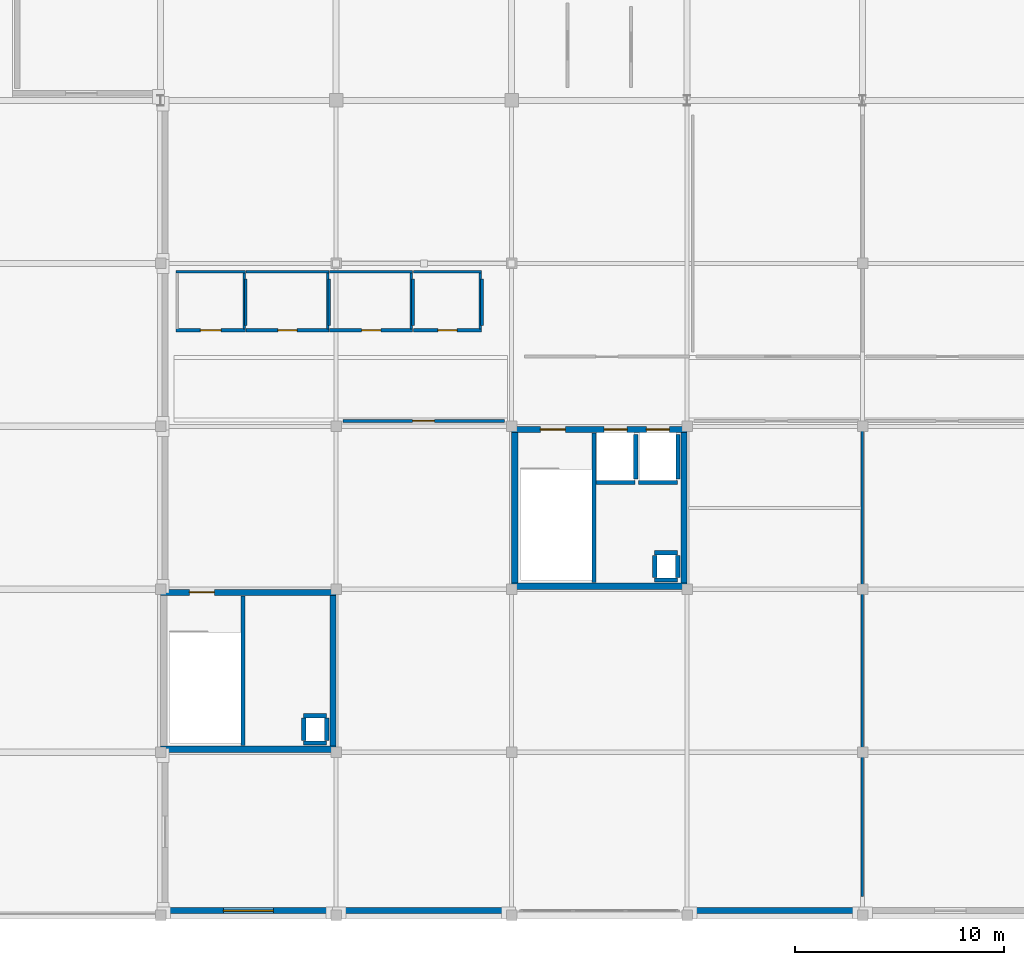
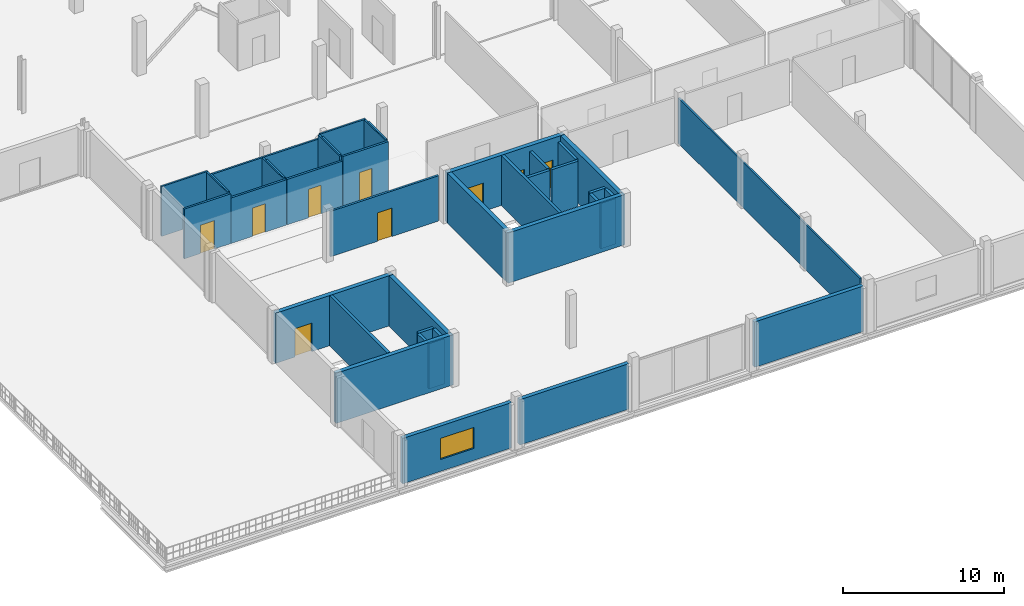
# One storey, part 28 of 41: 42 walls, 9 doors, 1 window, 10 openings.
"""IFC4 building model written with IfcOpenShell, lengths in metres."""

import ifcopenshell
import ifcopenshell.guid

model = None  # the IFC model being written
_history = None  # IfcOwnerHistory: only IFC2X3 demands one
_inside = {}  # id of a spatial element -> (the spatial element, [elements in it])
_under = {}  # id of a project, library or spatial element -> (it, [spatial elements below it])
_declared = {}  # id of a project -> (the project, [libraries it declares])
_typed = {}  # id of a type object -> (the type object, [elements of that type])
_made_of = {}  # id of a material, layer set ... -> (it, [elements and type objects made of it])


def new_model(schema):
    """Start an empty IFC model of exactly this schema.

    Asked for "IFC4X3", IfcOpenShell would pick the latest addendum, in which some entities
    have other attributes; the version numbers below select the first issue.
    IFC2X3 requires an IfcOwnerHistory on every rooted entity: one is made here for all.
    """
    global model, _history
    if schema == "IFC4X3":
        model = ifcopenshell.file(schema_version=(4, 3, 0, 0))
    else:
        model = ifcopenshell.file(schema=schema)
    _inside.clear()
    _under.clear()
    _declared.clear()
    _typed.clear()
    _made_of.clear()
    _history = None
    if model.schema == "IFC2X3":
        org = make("IfcOrganization", Name="unknown")
        user = make(
            "IfcPersonAndOrganization",
            ThePerson=make("IfcPerson", FamilyName="unknown"),
            TheOrganization=org,
        )
        app = make(
            "IfcApplication",
            ApplicationDeveloper=org,
            Version="unknown",
            ApplicationFullName="unknown",
            ApplicationIdentifier="unknown",
        )
        _history = make(
            "IfcOwnerHistory",
            OwningUser=user,
            OwningApplication=app,
            ChangeAction="ADDED",
            CreationDate=0,
        )
    return model


def make(cls, **values):
    """One entity of the class cls with the attributes given. An attribute that is None is left unset."""
    return model.create_entity(
        cls, **{name: value for name, value in values.items() if value is not None}
    )


def rooted(cls, **values):
    """An entity with a GlobalId (a new one), such as an element, a storey or a relation."""
    return make(cls, GlobalId=ifcopenshell.guid.new(), OwnerHistory=_history, **values)


def si_unit(unit_type, name, prefix=None):
    """IfcSIUnit, for example si_unit("LENGTHUNIT", "METRE", prefix="MILLI")."""
    return make("IfcSIUnit", UnitType=unit_type, Prefix=prefix, Name=name)


def assignment(units):
    """IfcUnitAssignment: the units of a project."""
    return None if units is None else make("IfcUnitAssignment", Units=units)


def point(xyz):
    """IfcCartesianPoint."""
    return None if xyz is None else make("IfcCartesianPoint", Coordinates=xyz)


def direction(xyz):
    """IfcDirection."""
    return None if xyz is None else make("IfcDirection", DirectionRatios=xyz)


def frame(location, z_axis=None, x_axis=None):
    """IfcAxis2Placement3D, a coordinate frame: its origin and axes. An axis left out is left unset."""
    return make(
        "IfcAxis2Placement3D",
        Location=point(location),
        Axis=direction(z_axis),
        RefDirection=direction(x_axis),
    )


def frame_2d(location, x_axis=None):
    """IfcAxis2Placement2D, a coordinate frame in the plane: its origin and x axis."""
    return make(
        "IfcAxis2Placement2D", Location=point(location), RefDirection=direction(x_axis)
    )


def origin():
    """The frame at (0, 0, 0) with its axes left unset."""
    return frame((0.0, 0.0, 0.0))


def place(relative_to, where):
    """IfcLocalPlacement: puts the frame where relative to a parent placement (None: the world)."""
    return make(
        "IfcLocalPlacement", PlacementRelTo=relative_to, RelativePlacement=where
    )


def context(
    kind, dimensions, precision=None, world=None, true_north=None, identifier=None
):
    """IfcGeometricRepresentationContext, for example the 3D "Model" context."""
    return make(
        "IfcGeometricRepresentationContext",
        ContextIdentifier=identifier,
        ContextType=kind,
        CoordinateSpaceDimension=dimensions,
        Precision=precision,
        WorldCoordinateSystem=world,
        TrueNorth=true_north,
    )


def subcontext(parent, identifier, kind, view, scale=None):
    """IfcGeometricRepresentationSubContext, for example "Body" below "Model"."""
    return make(
        "IfcGeometricRepresentationSubContext",
        ContextIdentifier=identifier,
        ContextType=kind,
        ParentContext=parent,
        TargetScale=scale,
        TargetView=view,
    )


def project(units=None, contexts=None):
    """IfcProject with its units and contexts."""
    return rooted(
        "IfcProject",
        Name="project",
        RepresentationContexts=contexts,
        UnitsInContext=assignment(units),
    )


def spatial(cls, under=None, at=None, **own):
    """A site, building, storey or space (cls), placed at a placement, below another one or the project."""
    s = rooted(cls, ObjectPlacement=at, **own)
    if under is not None:
        _under.setdefault(under.id(), (under, []))[1].append(s)
    return s


def profile(cls, at=None, kind="AREA", **sizes):
    """A parametric profile (cls). Its sizes go by their IFC names, for example OverallWidth=200.0."""
    return make(cls, ProfileType=kind, Position=at, **sizes)


def rectangle(**sizes):
    """IfcRectangleProfileDef."""
    return profile("IfcRectangleProfileDef", **sizes)


def extrude(swept, where, along, depth):
    """IfcExtrudedAreaSolid: the profile swept, set in the frame where, extruded along a direction by depth."""
    return make(
        "IfcExtrudedAreaSolid",
        SweptArea=swept,
        Position=where,
        ExtrudedDirection=direction(along),
        Depth=depth,
    )


def shape(context_of_items, identifier, shape_type, items):
    """IfcShapeRepresentation: the items that make up one representation, for example the "Body"."""
    return make(
        "IfcShapeRepresentation",
        ContextOfItems=context_of_items,
        RepresentationIdentifier=identifier,
        RepresentationType=shape_type,
        Items=items,
    )


def material(Name=None, Category=None):
    """IfcMaterial."""
    return make("IfcMaterial", Name=Name, Category=Category)


def layer(
    of_material, thickness, ventilated=None, Name=None, Category=None, Priority=None
):
    """IfcMaterialLayer: one layer of a wall or slab, of a material (None: an air gap)."""
    return make(
        "IfcMaterialLayer",
        Material=of_material,
        LayerThickness=thickness,
        IsVentilated=ventilated,
        Name=Name,
        Category=Category,
        Priority=Priority,
    )


def layer_set(layers, Name=None):
    """IfcMaterialLayerSet."""
    return make("IfcMaterialLayerSet", MaterialLayers=layers, LayerSetName=Name)


def made_of(thing, what):
    """Note that an element or type object is made of a material, layer set ...; save() writes the relation."""
    if what is not None:
        _made_of.setdefault(what.id(), (what, []))[1].append(thing)
    return thing


def type_object(cls, material=None, **own):
    """A type object (cls), such as IfcWallType, which elements share."""
    return made_of(rooted(cls, **own), material)


def element(
    cls,
    number,
    at=None,
    inside=None,
    cuts=None,
    type_object=None,
    material=None,
    context=None,
    identifier="Body",
    shape_type=None,
    held_by="IfcProductDefinitionShape",
    body=None,
    shapes=None,
    **own,
):
    """One element of the class cls, such as IfcWall. Its Tag is "e" and its number.

    at: its placement. inside: the storey or other place that contains it. cuts: it is an
    opening in that element (IfcRelVoidsElement). A single representation is given by context,
    identifier, shape_type and body (its items); several are given by shapes. held_by: the class
    of the entity that holds the representations. save() writes the other relations.
    """
    e = rooted(cls, Tag="e%d" % number, ObjectPlacement=at, **own)
    if body is not None:
        shapes = [shape(context, identifier, shape_type, body)]
    if shapes is not None:
        e.Representation = make(held_by, Representations=shapes)
    if inside is not None:
        _inside.setdefault(inside.id(), (inside, []))[1].append(e)
    if cuts is not None:
        rooted(
            "IfcRelVoidsElement", RelatingBuildingElement=cuts, RelatedOpeningElement=e
        )
    if type_object is not None:
        _typed.setdefault(type_object.id(), (type_object, []))[1].append(e)
    return made_of(e, material)


def fill(opening, filler):
    """IfcRelFillsElement: the door or window that sits in an opening."""
    return rooted(
        "IfcRelFillsElement",
        RelatingOpeningElement=opening,
        RelatedBuildingElement=filler,
    )


def aggregate(whole, parts):
    """IfcRelAggregates: a whole, such as a stair, and the parts it consists of."""
    return rooted("IfcRelAggregates", RelatingObject=whole, RelatedObjects=parts)


def save(model, path):
    """Write the relations noted so far, then the file.

    IfcRelAggregates (storeys below a building ...), IfcRelContainedInSpatialStructure (elements
    in a storey), IfcRelDefinesByType, IfcRelAssociatesMaterial and IfcRelDeclares: one each for
    every whole, place, type object, material and project.
    """
    for whole, parts in _under.values():
        aggregate(whole, parts)
    for where, things in _inside.values():
        rooted(
            "IfcRelContainedInSpatialStructure",
            RelatedElements=things,
            RelatingStructure=where,
        )
    for kind, things in _typed.values():
        rooted("IfcRelDefinesByType", RelatedObjects=things, RelatingType=kind)
    for what, things in _made_of.values():
        rooted("IfcRelAssociatesMaterial", RelatedObjects=things, RelatingMaterial=what)
    for by, libraries in _declared.values():
        rooted("IfcRelDeclares", RelatingContext=by, RelatedDefinitions=libraries)
    model.write(path)


model = new_model("IFC4")

# Units and contexts
model_context = context("Model", 3, precision=1e-05, world=origin(), true_north=direction((0.0, 1.0)))
body_context = subcontext(model_context, "Body", "Model", "MODEL_VIEW")
ifc_project = project(units=[si_unit("LENGTHUNIT", "METRE"), si_unit("AREAUNIT", "SQUARE_METRE"), si_unit("VOLUMEUNIT", "CUBIC_METRE"), si_unit("PLANEANGLEUNIT", "RADIAN"), si_unit("MASSUNIT", "GRAM", prefix="KILO")], contexts=[model_context])

# Site, building, storey
site_placement = place(None, origin())
site = spatial("IfcSite", under=ifc_project, at=site_placement, CompositionType="ELEMENT")
building_placement = place(site_placement, origin())
building = spatial("IfcBuilding", under=site, at=building_placement, Name="Nabrawat Pavilion Hospital", CompositionType="ELEMENT")
storey_placement = place(building_placement, frame((0.0, 0.0, 18.89990234375)))
storey = spatial("IfcBuildingStorey", under=building, at=storey_placement, Name="L04", CompositionType="ELEMENT", Elevation=18.89990234375)

# Wall, opening, door
ifc_material_1 = material(Name="Gypsum Fireboard on Steel Stud", Category="steel")
ifc_layer_1 = layer(ifc_material_1, 0.14990234375, Name="Gypsum Fireboard on Steel Stud")
ifc_layer_set_1 = layer_set([ifc_layer_1], Name="Gypsum Fireboard on Steel Stud")
wall_type_1 = type_object("IfcWallType", Name="Clinical Corridor Smoke-Barrier Wall 150", PredefinedType="PARTITIONING", material=ifc_layer_set_1)
wall_1_placement = place(storey_placement, frame((143.534912109375, 28.0, 0.0), z_axis=(0.0, 0.0, 1.0), x_axis=(1.0, 0.0, 0.0)))
wall_1 = element("IfcWall", 1, at=wall_1_placement, inside=storey, type_object=wall_type_1, Name="L04 L04 Accessible WC Front Partition", PredefinedType="PARTITIONING", context=body_context, shape_type="SweptSolid", body=[
    extrude(rectangle(XDim=3.330078125, YDim=0.14990234375, at=frame_2d((1.6650390625, 0.0))), origin(), (0.0, 0.0, 1.0), 3.77001953125),
])
opening_1_placement = place(wall_1_placement, frame((1.1650390625, 0.0, 0.0)))
opening_1 = element("IfcOpeningElement", 2, at=opening_1_placement, cuts=wall_1, Name="Opening D-WC-ACC", PredefinedType="OPENING", context=body_context, shape_type="SweptSolid", body=[
    extrude(rectangle(XDim=1.0, YDim=2.14990234375, at=frame_2d((0.5, 1.074951171875))), frame((0.0, 0.0849609375, 0.0), z_axis=(0.0, -1.0, 0.0), x_axis=(1.0, 0.0, 0.0)), (0.0, 0.0, 1.0), 0.169921875),
])
ifc_material_2 = material(Name="Stainless-Clad Acoustic Timber and Vision Glass", Category="wood")
door_type_1 = type_object("IfcDoorType", Name="Accessible Washroom Outward Door 1000x2150", OperationType="NOTDEFINED", PredefinedType="DOOR", material=ifc_material_2)
door_1_placement = place(opening_1_placement, origin())
door_1 = element("IfcDoor", 3, at=door_1_placement, inside=storey, type_object=door_type_1, Name="L04 Accessible WC Door", OperationType="SINGLE_SWING_LEFT", OverallHeight=2.14990234375, OverallWidth=1.0, PredefinedType="DOOR", context=body_context, shape_type="SweptSolid", body=[
    extrude(rectangle(XDim=1.0, YDim=2.14990234375, at=frame_2d((0.5, 1.074951171875))), frame((0.0, 0.02490234375, 0.0), z_axis=(0.0, -1.0, 0.0), x_axis=(1.0, 0.0, 0.0)), (0.0, 0.0, 1.0), 0.050048828125),
])
fill(opening_1, door_1)

wall_2_placement = place(storey_placement, frame((146.89501953125, 28.0, 0.0), z_axis=(0.0, 0.0, 1.0), x_axis=(1.0, 0.0, 0.0)))
wall_2 = element("IfcWall", 4, at=wall_2_placement, inside=storey, type_object=wall_type_1, Name="L04 L04 Visitor Female Washroom Front Partition", PredefinedType="PARTITIONING", context=body_context, shape_type="SweptSolid", body=[
    extrude(rectangle(XDim=3.969970703125, YDim=0.14990234375, at=frame_2d((1.98486328125, 0.0))), origin(), (0.0, 0.0, 1.0), 3.440185546875),
])
opening_2_placement = place(wall_2_placement, frame((1.52490234375, 0.0, 0.0)))
opening_2 = element("IfcOpeningElement", 5, at=opening_2_placement, cuts=wall_2, Name="Opening D-WC-STD", PredefinedType="OPENING", context=body_context, shape_type="SweptSolid", body=[
    extrude(rectangle(XDim=0.919921875, YDim=2.14990234375, at=frame_2d((0.4599609375, 1.074951171875))), frame((0.0, 0.0849609375, 0.0), z_axis=(0.0, -1.0, 0.0), x_axis=(1.0, 0.0, 0.0)), (0.0, 0.0, 1.0), 0.169921875),
])
door_type_2 = type_object("IfcDoorType", Name="Washroom Lobby Privacy Door 920x2150", OperationType="NOTDEFINED", PredefinedType="DOOR", material=ifc_material_2)
door_2_placement = place(opening_2_placement, origin())
door_2 = element("IfcDoor", 6, at=door_2_placement, inside=storey, type_object=door_type_2, Name="L04 Visitor Female Washroom Door", OperationType="SINGLE_SWING_RIGHT", OverallHeight=2.14990234375, OverallWidth=0.919921875, PredefinedType="DOOR", context=body_context, shape_type="SweptSolid", body=[
    extrude(rectangle(XDim=0.919921875, YDim=2.14990234375, at=frame_2d((0.4599609375, 1.074951171875))), frame((0.0, 0.02490234375, 0.0), z_axis=(0.0, -1.0, 0.0), x_axis=(1.0, 0.0, 0.0)), (0.0, 0.0, 1.0), 0.050048828125),
])
fill(opening_2, door_2)

wall_3_placement = place(storey_placement, frame((150.89501953125, 28.0, 0.0), z_axis=(0.0, 0.0, 1.0), x_axis=(1.0, 0.0, 0.0)))
wall_3 = element("IfcWall", 7, at=wall_3_placement, inside=storey, type_object=wall_type_1, Name="L04 L04 Visitor Male Washroom Front Partition", PredefinedType="PARTITIONING", context=body_context, shape_type="SweptSolid", body=[
    extrude(rectangle(XDim=3.969970703125, YDim=0.14990234375, at=frame_2d((1.98486328125, 0.0))), origin(), (0.0, 0.0, 1.0), 3.440185546875),
])
opening_3_placement = place(wall_3_placement, frame((1.52490234375, 0.0, 0.0)))
opening_3 = element("IfcOpeningElement", 8, at=opening_3_placement, cuts=wall_3, Name="Opening D-WC-STD", PredefinedType="OPENING", context=body_context, shape_type="SweptSolid", body=[
    extrude(rectangle(XDim=0.919921875, YDim=2.14990234375, at=frame_2d((0.4599609375, 1.074951171875))), frame((0.0, 0.0849609375, 0.0), z_axis=(0.0, -1.0, 0.0), x_axis=(1.0, 0.0, 0.0)), (0.0, 0.0, 1.0), 0.169921875),
])
door_3_placement = place(opening_3_placement, origin())
door_3 = element("IfcDoor", 9, at=door_3_placement, inside=storey, type_object=door_type_2, Name="L04 Visitor Male Washroom Door", OperationType="SINGLE_SWING_LEFT", OverallHeight=2.14990234375, OverallWidth=0.919921875, PredefinedType="DOOR", context=body_context, shape_type="SweptSolid", body=[
    extrude(rectangle(XDim=0.919921875, YDim=2.14990234375, at=frame_2d((0.4599609375, 1.074951171875))), frame((0.0, 0.02490234375, 0.0), z_axis=(0.0, -1.0, 0.0), x_axis=(1.0, 0.0, 0.0)), (0.0, 0.0, 1.0), 0.050048828125),
])
fill(opening_3, door_3)

wall_4_placement = place(storey_placement, frame((154.89501953125, 28.0, 0.0), z_axis=(0.0, 0.0, 1.0), x_axis=(1.0, 0.0, 0.0)))
wall_4 = element("IfcWall", 10, at=wall_4_placement, inside=storey, type_object=wall_type_1, Name="L04 L04 Clinical Staff WC Front Partition", PredefinedType="PARTITIONING", context=body_context, shape_type="SweptSolid", body=[
    extrude(rectangle(XDim=3.27001953125, YDim=0.14990234375, at=frame_2d((1.635009765625, 0.0))), origin(), (0.0, 0.0, 1.0), 3.77001953125),
])
opening_4_placement = place(wall_4_placement, frame((1.175048828125, 0.0, 0.0)))
opening_4 = element("IfcOpeningElement", 11, at=opening_4_placement, cuts=wall_4, Name="Opening D-WC-STD", PredefinedType="OPENING", context=body_context, shape_type="SweptSolid", body=[
    extrude(rectangle(XDim=0.919921875, YDim=2.14990234375, at=frame_2d((0.4599609375, 1.074951171875))), frame((0.0, 0.0849609375, 0.0), z_axis=(0.0, -1.0, 0.0), x_axis=(1.0, 0.0, 0.0)), (0.0, 0.0, 1.0), 0.169921875),
])
door_4_placement = place(opening_4_placement, origin())
door_4 = element("IfcDoor", 12, at=door_4_placement, inside=storey, type_object=door_type_2, Name="L04 Clinical Staff WC Door", OperationType="SINGLE_SWING_RIGHT", OverallHeight=2.14990234375, OverallWidth=0.919921875, PredefinedType="DOOR", context=body_context, shape_type="SweptSolid", body=[
    extrude(rectangle(XDim=0.919921875, YDim=2.14990234375, at=frame_2d((0.4599609375, 1.074951171875))), frame((0.0, 0.02490234375, 0.0), z_axis=(0.0, -1.0, 0.0), x_axis=(1.0, 0.0, 0.0)), (0.0, 0.0, 1.0), 0.050048828125),
])
fill(opening_4, door_4)

wall_5_placement = place(storey_placement, frame((151.52001953125, 23.659912109375, 0.0), z_axis=(0.0, 0.0, 1.0), x_axis=(1.0, 0.0, 0.0)))
wall_5 = element("IfcWall", 13, at=wall_5_placement, inside=storey, type_object=wall_type_1, Name="L04 Outpatient Clinic Executive Screening Suite L04-01 Front Partition", PredefinedType="PARTITIONING", context=body_context, shape_type="SweptSolid", body=[
    extrude(rectangle(XDim=7.72998046875, YDim=0.14990234375, at=frame_2d((3.864990234375, 0.0))), origin(), (0.0, 0.0, 1.0), 3.440185546875),
])
opening_5_placement = place(wall_5_placement, frame((3.340087890625, 0.0, 0.0)))
opening_5 = element("IfcOpeningElement", 14, at=opening_5_placement, cuts=wall_5, Name="Opening D-OPC-L", PredefinedType="OPENING", context=body_context, shape_type="SweptSolid", body=[
    extrude(rectangle(XDim=1.050048828125, YDim=2.14990234375, at=frame_2d((0.52490234375, 1.074951171875))), frame((0.0, 0.0849609375, 0.0), z_axis=(0.0, -1.0, 0.0), x_axis=(1.0, 0.0, 0.0)), (0.0, 0.0, 1.0), 0.169921875),
])
door_type_3 = type_object("IfcDoorType", Name="Outpatient Clinic Consultation Door L 1050x2150", OperationType="NOTDEFINED", PredefinedType="DOOR", material=ifc_material_2)
door_5_placement = place(opening_5_placement, origin())
door_5 = element("IfcDoor", 15, at=door_5_placement, inside=storey, type_object=door_type_3, Name="Outpatient Clinic Executive Screening Suite L04-01 Door", OperationType="SINGLE_SWING_RIGHT", OverallHeight=2.14990234375, OverallWidth=1.050048828125, PredefinedType="DOOR", context=body_context, shape_type="SweptSolid", body=[
    extrude(rectangle(XDim=1.050048828125, YDim=2.14990234375, at=frame_2d((0.52490234375, 1.074951171875))), frame((0.0, 0.02490234375, 0.0), z_axis=(0.0, -1.0, 0.0), x_axis=(1.0, 0.0, 0.0)), (0.0, 0.0, 1.0), 0.050048828125),
])
fill(opening_5, door_5)

# Walls
ifc_material_3 = material(Name="Cement Board on Steel Stud", Category="steel")
ifc_layer_2 = layer(ifc_material_3, 0.1298828125, Name="Cement Board on Steel Stud")
ifc_layer_set_2 = layer_set([ifc_layer_2], Name="Cement Board on Steel Stud")
wall_type_2 = type_object("IfcWallType", Name="En-Suite Moisture-Resistant Partition 130", PredefinedType="PARTITIONING", material=ifc_layer_set_2)
wall_6_placement = place(storey_placement, frame((143.534912109375, 30.800048828125, 0.0), z_axis=(0.0, 0.0, 1.0), x_axis=(1.0, 0.0, 0.0)))
element("IfcWall", 16, at=wall_6_placement, inside=storey, type_object=wall_type_2, Name="L04 L04 Accessible WC North Partition", PredefinedType="PARTITIONING", context=body_context, shape_type="SweptSolid", body=[
    extrude(rectangle(XDim=3.330078125, YDim=0.1298828125, at=frame_2d((1.6650390625, 0.0))), origin(), (0.0, 0.0, 1.0), 3.77001953125),
])
wall_7_placement = place(storey_placement, frame((146.800048828125, 28.06494140625, 0.0), z_axis=(0.0, 0.0, 1.0), x_axis=(0.0, 1.0, 0.0)))
element("IfcWall", 17, at=wall_7_placement, inside=storey, type_object=wall_type_2, Name="L04 L04 Accessible WC East Partition", PredefinedType="PARTITIONING", context=body_context, shape_type="SweptSolid", body=[
    extrude(rectangle(XDim=2.670166015625, YDim=0.1298828125, at=frame_2d((1.3349609375, 0.0))), origin(), (0.0, 0.0, 1.0), 3.77001953125),
])
wall_8_placement = place(storey_placement, frame((146.8798828125, 28.219970703125, 0.0), z_axis=(0.0, 0.0, 1.0), x_axis=(0.0, 1.0, 0.0)))
element("IfcWall", 18, at=wall_8_placement, inside=storey, type_object=wall_type_2, Name="L04 L04 Accessible WC Dividing Partition", PredefinedType="PARTITIONING", context=body_context, shape_type="SweptSolid", body=[
    extrude(rectangle(XDim=2.22998046875, YDim=0.1298828125, at=frame_2d((1.114990234375, 0.0))), origin(), (0.0, 0.0, 1.0), 3.77001953125),
])
wall_9_placement = place(storey_placement, frame((146.89501953125, 30.800048828125, 0.0), z_axis=(0.0, 0.0, 1.0), x_axis=(1.0, 0.0, 0.0)))
element("IfcWall", 19, at=wall_9_placement, inside=storey, type_object=wall_type_2, Name="L04 L04 Visitor Female Washroom North Partition", PredefinedType="PARTITIONING", context=body_context, shape_type="SweptSolid", body=[
    extrude(rectangle(XDim=3.969970703125, YDim=0.1298828125, at=frame_2d((1.98486328125, 0.0))), origin(), (0.0, 0.0, 1.0), 3.440185546875),
])
wall_10_placement = place(storey_placement, frame((150.800048828125, 28.06494140625, 0.0), z_axis=(0.0, 0.0, 1.0), x_axis=(0.0, 1.0, 0.0)))
element("IfcWall", 20, at=wall_10_placement, inside=storey, type_object=wall_type_2, Name="L04 L04 Visitor Female Washroom East Partition", PredefinedType="PARTITIONING", context=body_context, shape_type="SweptSolid", body=[
    extrude(rectangle(XDim=2.670166015625, YDim=0.1298828125, at=frame_2d((1.3349609375, 0.0))), origin(), (0.0, 0.0, 1.0), 3.440185546875),
])
wall_11_placement = place(storey_placement, frame((150.8798828125, 28.219970703125, 0.0), z_axis=(0.0, 0.0, 1.0), x_axis=(0.0, 1.0, 0.0)))
element("IfcWall", 21, at=wall_11_placement, inside=storey, type_object=wall_type_2, Name="L04 L04 Visitor Female Washroom Dividing Partition", PredefinedType="PARTITIONING", context=body_context, shape_type="SweptSolid", body=[
    extrude(rectangle(XDim=2.22998046875, YDim=0.1298828125, at=frame_2d((1.114990234375, 0.0))), origin(), (0.0, 0.0, 1.0), 3.440185546875),
])
wall_12_placement = place(storey_placement, frame((150.89501953125, 30.800048828125, 0.0), z_axis=(0.0, 0.0, 1.0), x_axis=(1.0, 0.0, 0.0)))
element("IfcWall", 22, at=wall_12_placement, inside=storey, type_object=wall_type_2, Name="L04 L04 Visitor Male Washroom North Partition", PredefinedType="PARTITIONING", context=body_context, shape_type="SweptSolid", body=[
    extrude(rectangle(XDim=3.969970703125, YDim=0.1298828125, at=frame_2d((1.98486328125, 0.0))), origin(), (0.0, 0.0, 1.0), 3.440185546875),
])
wall_13_placement = place(storey_placement, frame((154.800048828125, 28.06494140625, 0.0), z_axis=(0.0, 0.0, 1.0), x_axis=(0.0, 1.0, 0.0)))
element("IfcWall", 23, at=wall_13_placement, inside=storey, type_object=wall_type_2, Name="L04 L04 Visitor Male Washroom East Partition", PredefinedType="PARTITIONING", context=body_context, shape_type="SweptSolid", body=[
    extrude(rectangle(XDim=2.670166015625, YDim=0.1298828125, at=frame_2d((1.3349609375, 0.0))), origin(), (0.0, 0.0, 1.0), 3.77001953125),
])
wall_14_placement = place(storey_placement, frame((154.8798828125, 28.219970703125, 0.0), z_axis=(0.0, 0.0, 1.0), x_axis=(0.0, 1.0, 0.0)))
element("IfcWall", 24, at=wall_14_placement, inside=storey, type_object=wall_type_2, Name="L04 L04 Visitor Male Washroom Dividing Partition", PredefinedType="PARTITIONING", context=body_context, shape_type="SweptSolid", body=[
    extrude(rectangle(XDim=2.22998046875, YDim=0.1298828125, at=frame_2d((1.114990234375, 0.0))), origin(), (0.0, 0.0, 1.0), 3.77001953125),
])
wall_15_placement = place(storey_placement, frame((154.89501953125, 30.800048828125, 0.0), z_axis=(0.0, 0.0, 1.0), x_axis=(1.0, 0.0, 0.0)))
element("IfcWall", 25, at=wall_15_placement, inside=storey, type_object=wall_type_2, Name="L04 L04 Clinical Staff WC North Partition", PredefinedType="PARTITIONING", context=body_context, shape_type="SweptSolid", body=[
    extrude(rectangle(XDim=3.27001953125, YDim=0.1298828125, at=frame_2d((1.635009765625, 0.0))), origin(), (0.0, 0.0, 1.0), 3.77001953125),
])
wall_16_placement = place(storey_placement, frame((158.10009765625, 28.06494140625, 0.0), z_axis=(0.0, 0.0, 1.0), x_axis=(0.0, 1.0, 0.0)))
element("IfcWall", 26, at=wall_16_placement, inside=storey, type_object=wall_type_2, Name="L04 L04 Clinical Staff WC East Partition", PredefinedType="PARTITIONING", context=body_context, shape_type="SweptSolid", body=[
    extrude(rectangle(XDim=2.670166015625, YDim=0.1298828125, at=frame_2d((1.3349609375, 0.0))), origin(), (0.0, 0.0, 1.0), 3.77001953125),
])
wall_17_placement = place(storey_placement, frame((158.179931640625, 28.219970703125, 0.0), z_axis=(0.0, 0.0, 1.0), x_axis=(0.0, 1.0, 0.0)))
element("IfcWall", 27, at=wall_17_placement, inside=storey, type_object=wall_type_2, Name="L04 L04 Clinical Staff WC Dividing Partition", PredefinedType="PARTITIONING", context=body_context, shape_type="SweptSolid", body=[
    extrude(rectangle(XDim=2.22998046875, YDim=0.1298828125, at=frame_2d((1.114990234375, 0.0))), origin(), (0.0, 0.0, 1.0), 3.77001953125),
])

# Wall, opening, window
ifc_material_4 = material(Name="Precast concrete C40/50", Category="concrete")
ifc_layer_3 = layer(ifc_material_4, 0.280029296875, Name="Precast concrete C40/50")
ifc_layer_set_3 = layer_set([ifc_layer_3], Name="Precast concrete C40/50")
wall_type_3 = type_object("IfcWallType", Name="Insulated Precast Facade Wall 280", PredefinedType="SOLIDWALL", material=ifc_layer_set_3)
wall_18_placement = place(storey_placement, frame((143.10009765625, 0.219970703125, 0.0), z_axis=(0.0, 0.0, 1.0), x_axis=(1.0, 0.0, 0.0)))
wall_18 = element("IfcWall", 28, at=wall_18_placement, inside=storey, type_object=wall_type_3, Name="L04 Insulated Precast Facade Wall 280 363", PredefinedType="SOLIDWALL", context=body_context, shape_type="SweptSolid", body=[
    extrude(rectangle(XDim=7.7998046875, YDim=0.280029296875, at=frame_2d((3.89990234375, 0.0))), origin(), (0.0, 0.0, 1.0), 3.440185546875),
])
opening_6_placement = place(wall_18_placement, frame((2.699951171875, 0.0, 0.89990234375)))
opening_6 = element("IfcOpeningElement", 29, at=opening_6_placement, cuts=wall_18, Name="Opening WN-03", PredefinedType="OPENING", context=body_context, shape_type="SweptSolid", body=[
    extrude(rectangle(XDim=2.39990234375, YDim=1.60009765625, at=frame_2d((1.199951171875, 0.800048828125))), frame((0.0, 0.14990234375, 0.0), z_axis=(0.0, -1.0, 0.0), x_axis=(1.0, 0.0, 0.0)), (0.0, 0.0, 1.0), 0.300048828125),
])
ifc_material_5 = material(Name="Thermally Broken Aluminium and Solar Glass", Category="aluminium")
window_type = type_object("IfcWindowType", Name="Deep-Reveal Ward Bay Window 2400x1600", PartitioningType="SINGLE_PANEL", PredefinedType="WINDOW", material=ifc_material_5)
window_placement = place(opening_6_placement, origin())
window = element("IfcWindow", 30, at=window_placement, inside=storey, type_object=window_type, Name="L04 Deep-Reveal Ward Bay Window 2400x1600 131", OverallHeight=1.60009765625, OverallWidth=2.39990234375, PartitioningType="SINGLE_PANEL", PredefinedType="WINDOW", context=body_context, shape_type="SweptSolid", body=[
    extrude(rectangle(XDim=2.39990234375, YDim=1.60009765625, at=frame_2d((1.199951171875, 0.800048828125))), frame((0.0, 0.030029296875, 0.0), z_axis=(0.0, -1.0, 0.0), x_axis=(1.0, 0.0, 0.0)), (0.0, 0.0, 1.0), 0.06005859375),
])
fill(opening_6, window)

# Walls
for number, where, z_axis, x_axis, name in (
    (31, (151.5, 0.219970703125, 0.0), (0.0, 0.0, 1.0), (1.0, 0.0, 0.0), "L04 Insulated Precast Facade Wall 280 364"),
    (32, (168.300048828125, 0.219970703125, 0.0), (0.0, 0.0, 1.0), (1.0, 0.0, 0.0), "L04 Insulated Precast Facade Wall 280 365"),
):
    element("IfcWall", number, at=place(storey_placement, frame(where, z_axis=z_axis, x_axis=x_axis)), inside=storey, type_object=wall_type_3, Name=name, PredefinedType="SOLIDWALL", context=body_context, shape_type="SweptSolid", body=[
        extrude(rectangle(XDim=7.800048828125, YDim=0.280029296875, at=frame_2d((3.89990234375, 0.0))), origin(), (0.0, 0.0, 1.0), 3.440185546875),
    ])
ifc_material_6 = material(Name="Concrete C35/45", Category="concrete")
ifc_layer_4 = layer(ifc_material_6, 0.199951171875, Name="Concrete C35/45")
ifc_layer_set_4 = layer_set([ifc_layer_4], Name="Concrete C35/45")
wall_type_4 = type_object("IfcWallType", Name="Lift and Riser Fire Shaft Wall 200", PredefinedType="PARTITIONING", material=ifc_layer_set_4)
wall_19_placement = place(storey_placement, frame((163.550048828125, 15.919921875, 0.0), z_axis=(0.0, 0.0, 1.0), x_axis=(0.0, 1.0, 0.0)))
element("IfcWall", 33, at=wall_19_placement, inside=storey, type_object=wall_type_4, Name="L04 CORE-4 Stair-Lift Dividing Shear Wall", PredefinedType="SHEAR", context=body_context, shape_type="SweptSolid", body=[
    extrude(rectangle(XDim=7.16015625, YDim=0.199951171875, at=frame_2d((3.580078125, 0.0))), origin(), (0.0, 0.0, 1.0), 3.800048828125),
])
for number, where, z_axis, x_axis, name in (
    (34, (166.449951171875, 16.050048828125, 0.0), (0.0, 0.0, 1.0), (1.0, 0.0, 0.0), "L04 CORE-4 MEP Riser Shaft Wall S"),
    (35, (166.449951171875, 17.35009765625, 0.0), (0.0, 0.0, 1.0), (1.0, 0.0, 0.0), "L04 CORE-4 MEP Riser Shaft Wall N"),
):
    element("IfcWall", number, at=place(storey_placement, frame(where, z_axis=z_axis, x_axis=x_axis)), inside=storey, type_object=wall_type_4, Name=name, PredefinedType="PARTITIONING", context=body_context, shape_type="SweptSolid", body=[
        extrude(rectangle(XDim=1.10009765625, YDim=0.199951171875, at=frame_2d((0.550048828125, 0.0))), origin(), (0.0, 0.0, 1.0), 3.440185546875),
    ])
for number, where, z_axis, x_axis, name in (
    (36, (166.449951171875, 16.169921875, 0.0), (0.0, 0.0, 1.0), (0.0, 1.0, 0.0), "L04 CORE-4 MEP Riser Shaft Wall W"),
    (37, (167.550048828125, 16.169921875, 0.0), (0.0, 0.0, 1.0), (0.0, 1.0, 0.0), "L04 CORE-4 MEP Riser Shaft Wall E"),
):
    element("IfcWall", number, at=place(storey_placement, frame(where, z_axis=z_axis, x_axis=x_axis)), inside=storey, type_object=wall_type_4, Name=name, PredefinedType="PARTITIONING", context=body_context, shape_type="SweptSolid", body=[
        extrude(rectangle(XDim=1.06005859375, YDim=0.199951171875, at=frame_2d((0.530029296875, 0.0))), origin(), (0.0, 0.0, 1.0), 3.440185546875),
    ])
wall_20_placement = place(storey_placement, frame((165.5400390625, 20.8798828125, 0.0), z_axis=(0.0, 0.0, 1.0), x_axis=(0.0, 1.0, 0.0)))
element("IfcWall", 38, at=wall_20_placement, inside=storey, type_object=wall_type_4, Name="L04 Lift LP-03 Shaft East Wall", PredefinedType="PARTITIONING", context=body_context, shape_type="SweptSolid", body=[
    extrude(rectangle(XDim=2.14013671875, YDim=0.199951171875, at=frame_2d((1.070068359375, 0.0))), origin(), (0.0, 0.0, 1.0), 3.440185546875),
])
wall_21_placement = place(storey_placement, frame((163.64990234375, 20.719970703125, 0.0), z_axis=(0.0, 0.0, 1.0), x_axis=(1.0, 0.0, 0.0)))
element("IfcWall", 39, at=wall_21_placement, inside=storey, type_object=wall_type_4, Name="L04 Lift LP-03 Shaft Back Wall", PredefinedType="PARTITIONING", context=body_context, shape_type="SweptSolid", body=[
    extrude(rectangle(XDim=1.860107421875, YDim=0.199951171875, at=frame_2d((0.93017578125, 0.0))), origin(), (0.0, 0.0, 1.0), 3.440185546875),
])
wall_22_placement = place(storey_placement, frame((167.56005859375, 20.8798828125, 0.0), z_axis=(0.0, 0.0, 1.0), x_axis=(0.0, 1.0, 0.0)))
element("IfcWall", 40, at=wall_22_placement, inside=storey, type_object=wall_type_4, Name="L04 Lift LP-04 Shaft East Wall", PredefinedType="PARTITIONING", context=body_context, shape_type="SweptSolid", body=[
    extrude(rectangle(XDim=2.14013671875, YDim=0.199951171875, at=frame_2d((1.070068359375, 0.0))), origin(), (0.0, 0.0, 1.0), 3.440185546875),
])
wall_23_placement = place(storey_placement, frame((165.669921875, 20.719970703125, 0.0), z_axis=(0.0, 0.0, 1.0), x_axis=(1.0, 0.0, 0.0)))
element("IfcWall", 41, at=wall_23_placement, inside=storey, type_object=wall_type_4, Name="L04 Lift LP-04 Shaft Back Wall", PredefinedType="PARTITIONING", context=body_context, shape_type="SweptSolid", body=[
    extrude(rectangle(XDim=1.860107421875, YDim=0.199951171875, at=frame_2d((0.93017578125, 0.0))), origin(), (0.0, 0.0, 1.0), 3.440185546875),
])
wall_24_placement = place(storey_placement, frame((146.75, 8.1201171875, 0.0), z_axis=(0.0, 0.0, 1.0), x_axis=(0.0, 1.0, 0.0)))
element("IfcWall", 42, at=wall_24_placement, inside=storey, type_object=wall_type_4, Name="L04 CORE-8 Stair-Lift Dividing Shear Wall", PredefinedType="SHEAR", context=body_context, shape_type="SweptSolid", body=[
    extrude(rectangle(XDim=7.159912109375, YDim=0.199951171875, at=frame_2d((3.580078125, 0.0))), origin(), (0.0, 0.0, 1.0), 3.800048828125),
])
for number, where, z_axis, x_axis, name in (
    (43, (149.64990234375, 8.25, 0.0), (0.0, 0.0, 1.0), (1.0, 0.0, 0.0), "L04 CORE-8 MEP Riser Shaft Wall S"),
    (44, (149.64990234375, 9.550048828125, 0.0), (0.0, 0.0, 1.0), (1.0, 0.0, 0.0), "L04 CORE-8 MEP Riser Shaft Wall N"),
):
    element("IfcWall", number, at=place(storey_placement, frame(where, z_axis=z_axis, x_axis=x_axis)), inside=storey, type_object=wall_type_4, Name=name, PredefinedType="PARTITIONING", context=body_context, shape_type="SweptSolid", body=[
        extrude(rectangle(XDim=1.10009765625, YDim=0.199951171875, at=frame_2d((0.550048828125, 0.0))), origin(), (0.0, 0.0, 1.0), 3.440185546875),
    ])
for number, where, z_axis, x_axis, name in (
    (45, (149.64990234375, 8.3701171875, 0.0), (0.0, 0.0, 1.0), (0.0, 1.0, 0.0), "L04 CORE-8 MEP Riser Shaft Wall W"),
    (46, (150.75, 8.3701171875, 0.0), (0.0, 0.0, 1.0), (0.0, 1.0, 0.0), "L04 CORE-8 MEP Riser Shaft Wall E"),
):
    element("IfcWall", number, at=place(storey_placement, frame(where, z_axis=z_axis, x_axis=x_axis)), inside=storey, type_object=wall_type_4, Name=name, PredefinedType="PARTITIONING", context=body_context, shape_type="SweptSolid", body=[
        extrude(rectangle(XDim=1.059814453125, YDim=0.199951171875, at=frame_2d((0.52978515625, 0.0))), origin(), (0.0, 0.0, 1.0), 3.440185546875),
    ])
ifc_material_7 = material(Name="Gypsum Plasterboard on Stud", Category="gypsum")
ifc_layer_5 = layer(ifc_material_7, 0.1201171875, Name="Gypsum Plasterboard on Stud")
ifc_layer_set_5 = layer_set([ifc_layer_5], Name="Gypsum Plasterboard on Stud")
wall_type_5 = type_object("IfcWallType", Name="Outpatient Consultation Partition 120", PredefinedType="PARTITIONING", material=ifc_layer_set_5)
wall_25_placement = place(storey_placement, frame((176.3798828125, 0.889892578125, 0.0), z_axis=(0.0, 0.0, 1.0), x_axis=(0.0, 1.0, 0.0)))
element("IfcWall", 47, at=wall_25_placement, inside=storey, type_object=wall_type_5, Name="L04 Outpatient Clinic Women Wellness Suite L04-02 Dividing Partition", PredefinedType="PARTITIONING", context=body_context, shape_type="SweptSolid", body=[
    extrude(rectangle(XDim=22.550048828125, YDim=0.1201171875, at=frame_2d((11.27490234375, 0.0))), origin(), (0.0, 0.0, 1.0), 3.440185546875),
])
ifc_material_8 = material(Name="Concrete C40/50", Category="concrete")
ifc_layer_6 = layer(ifc_material_8, 0.300048828125, Name="Concrete C40/50")
ifc_layer_set_6 = layer_set([ifc_layer_6], Name="Concrete C40/50")
wall_type_6 = type_object("IfcWallType", Name="Reinforced Concrete Core Shear Wall 300", PredefinedType="SHEAR", material=ifc_layer_set_6)
wall_26_placement = place(storey_placement, frame((159.60009765625, 15.75, 0.0), z_axis=(0.0, 0.0, 1.0), x_axis=(1.0, 0.0, 0.0)))
element("IfcWall", 48, at=wall_26_placement, inside=storey, type_object=wall_type_6, Name="L04 CORE-4 South Core Shear Wall", PredefinedType="SHEAR", context=body_context, shape_type="SweptSolid", body=[
    extrude(rectangle(XDim=8.39990234375, YDim=0.300048828125, at=frame_2d((4.199951171875, 0.0))), origin(), (0.0, 0.0, 1.0), 3.800048828125),
])

# Wall, openings, doors
wall_27_placement = place(storey_placement, frame((159.60009765625, 23.25, 0.0), z_axis=(0.0, 0.0, 1.0), x_axis=(1.0, 0.0, 0.0)))
wall_27 = element("IfcWall", 49, at=wall_27_placement, inside=storey, type_object=wall_type_6, Name="L04 CORE-4 North Core Shear Wall", PredefinedType="SHEAR", context=body_context, shape_type="SweptSolid", body=[
    extrude(rectangle(XDim=8.39990234375, YDim=0.300048828125, at=frame_2d((4.199951171875, 0.0))), origin(), (0.0, 0.0, 1.0), 3.800048828125),
])
opening_7_placement = place(wall_27_placement, frame((1.3798828125, 0.0, 0.0)))
opening_7 = element("IfcOpeningElement", 50, at=opening_7_placement, cuts=wall_27, Name="Opening D-STAIR", PredefinedType="OPENING", context=body_context, shape_type="SweptSolid", body=[
    extrude(rectangle(XDim=1.199951171875, YDim=2.14990234375, at=frame_2d((0.60009765625, 1.074951171875))), frame((0.0, 0.16015625, 0.0), z_axis=(0.0, -1.0, 0.0), x_axis=(1.0, 0.0, 0.0)), (0.0, 0.0, 1.0), 0.320068359375),
])
opening_8_placement = place(wall_27_placement, frame((4.429931640625, 0.0, 0.0)))
opening_8 = element("IfcOpeningElement", 51, at=opening_8_placement, cuts=wall_27, Name="Opening LD-LP-03", PredefinedType="OPENING", context=body_context, shape_type="SweptSolid", body=[
    extrude(rectangle(XDim=1.10009765625, YDim=2.14990234375, at=frame_2d((0.550048828125, 1.074951171875))), frame((0.0, 0.16015625, 0.0), z_axis=(0.0, -1.0, 0.0), x_axis=(1.0, 0.0, 0.0)), (0.0, 0.0, 1.0), 0.320068359375),
])
opening_9_placement = place(wall_27_placement, frame((6.449951171875, 0.0, 0.0)))
opening_9 = element("IfcOpeningElement", 52, at=opening_9_placement, cuts=wall_27, Name="Opening LD-LP-04", PredefinedType="OPENING", context=body_context, shape_type="SweptSolid", body=[
    extrude(rectangle(XDim=1.10009765625, YDim=2.14990234375, at=frame_2d((0.550048828125, 1.074951171875))), frame((0.0, 0.16015625, 0.0), z_axis=(0.0, -1.0, 0.0), x_axis=(1.0, 0.0, 0.0)), (0.0, 0.0, 1.0), 0.320068359375),
])
door_type_4 = type_object("IfcDoorType", Name="D-STAIR Exit Stair Fire Door 1200x2150", OperationType="NOTDEFINED", PredefinedType="DOOR", material=ifc_material_2)
door_6_placement = place(opening_7_placement, origin())
door_6 = element("IfcDoor", 53, at=door_6_placement, inside=storey, type_object=door_type_4, Name="L04 ST-04 Fire Exit Stair Door", OperationType="SINGLE_SWING_RIGHT", OverallHeight=2.14990234375, OverallWidth=1.199951171875, PredefinedType="DOOR", context=body_context, shape_type="SweptSolid", body=[
    extrude(rectangle(XDim=1.199951171875, YDim=2.14990234375, at=frame_2d((0.60009765625, 1.074951171875))), frame((0.0, 0.02490234375, 0.0), z_axis=(0.0, -1.0, 0.0), x_axis=(1.0, 0.0, 0.0)), (0.0, 0.0, 1.0), 0.050048828125),
])
fill(opening_7, door_6)
door_type_5 = type_object("IfcDoorType", Name="Passenger Lift Sliding Landing Door 1100x2150", OperationType="DOUBLE_DOOR_SLIDING", PredefinedType="DOOR", material=ifc_material_2)
door_7_placement = place(opening_8_placement, origin())
door_7 = element("IfcDoor", 54, at=door_7_placement, inside=storey, type_object=door_type_5, Name="L04 Lift LP-03 Sliding Landing Door", OperationType="DOUBLE_DOOR_SLIDING", OverallHeight=2.14990234375, OverallWidth=1.10009765625, PredefinedType="DOOR", context=body_context, shape_type="SweptSolid", body=[
    extrude(rectangle(XDim=1.10009765625, YDim=2.14990234375, at=frame_2d((0.550048828125, 1.074951171875))), frame((0.0, 0.02490234375, 0.0), z_axis=(0.0, -1.0, 0.0), x_axis=(1.0, 0.0, 0.0)), (0.0, 0.0, 1.0), 0.050048828125),
])
fill(opening_8, door_7)
door_8_placement = place(opening_9_placement, origin())
door_8 = element("IfcDoor", 55, at=door_8_placement, inside=storey, type_object=door_type_5, Name="L04 Lift LP-04 Sliding Landing Door", OperationType="DOUBLE_DOOR_SLIDING", OverallHeight=2.14990234375, OverallWidth=1.10009765625, PredefinedType="DOOR", context=body_context, shape_type="SweptSolid", body=[
    extrude(rectangle(XDim=1.10009765625, YDim=2.14990234375, at=frame_2d((0.550048828125, 1.074951171875))), frame((0.0, 0.02490234375, 0.0), z_axis=(0.0, -1.0, 0.0), x_axis=(1.0, 0.0, 0.0)), (0.0, 0.0, 1.0), 0.050048828125),
])
fill(opening_9, door_8)

# Walls
for number, where, z_axis, x_axis, name in (
    (56, (159.75, 15.89990234375, 0.0), (0.0, 0.0, 1.0), (0.0, 1.0, 0.0), "L04 CORE-4 West Core Shear Wall"),
    (57, (167.85009765625, 15.89990234375, 0.0), (0.0, 0.0, 1.0), (0.0, 1.0, 0.0), "L04 CORE-4 East Core Shear Wall"),
):
    element("IfcWall", number, at=place(storey_placement, frame(where, z_axis=z_axis, x_axis=x_axis)), inside=storey, type_object=wall_type_6, Name=name, PredefinedType="SHEAR", context=body_context, shape_type="SweptSolid", body=[
        extrude(rectangle(XDim=7.2001953125, YDim=0.300048828125, at=frame_2d((3.60009765625, 0.0))), origin(), (0.0, 0.0, 1.0), 3.800048828125),
    ])
wall_28_placement = place(storey_placement, frame((142.800048828125, 7.949951171875, 0.0), z_axis=(0.0, 0.0, 1.0), x_axis=(1.0, 0.0, 0.0)))
element("IfcWall", 58, at=wall_28_placement, inside=storey, type_object=wall_type_6, Name="L04 CORE-8 South Core Shear Wall", PredefinedType="SHEAR", context=body_context, shape_type="SweptSolid", body=[
    extrude(rectangle(XDim=8.39990234375, YDim=0.300048828125, at=frame_2d((4.199951171875, 0.0))), origin(), (0.0, 0.0, 1.0), 3.800048828125),
])

# Wall, opening, door
wall_29_placement = place(storey_placement, frame((142.800048828125, 15.449951171875, 0.0), z_axis=(0.0, 0.0, 1.0), x_axis=(1.0, 0.0, 0.0)))
wall_29 = element("IfcWall", 59, at=wall_29_placement, inside=storey, type_object=wall_type_6, Name="L04 CORE-8 North Core Shear Wall", PredefinedType="SHEAR", context=body_context, shape_type="SweptSolid", body=[
    extrude(rectangle(XDim=8.39990234375, YDim=0.300048828125, at=frame_2d((4.199951171875, 0.0))), origin(), (0.0, 0.0, 1.0), 3.800048828125),
])
opening_10_placement = place(wall_29_placement, frame((1.3798828125, 0.0, 0.0)))
opening_10 = element("IfcOpeningElement", 60, at=opening_10_placement, cuts=wall_29, Name="Opening D-STAIR", PredefinedType="OPENING", context=body_context, shape_type="SweptSolid", body=[
    extrude(rectangle(XDim=1.199951171875, YDim=2.14990234375, at=frame_2d((0.60009765625, 1.074951171875))), frame((0.0, 0.16015625, 0.0), z_axis=(0.0, -1.0, 0.0), x_axis=(1.0, 0.0, 0.0)), (0.0, 0.0, 1.0), 0.320068359375),
])
door_9_placement = place(opening_10_placement, origin())
door_9 = element("IfcDoor", 61, at=door_9_placement, inside=storey, type_object=door_type_4, Name="L04 ST-08 Fire Exit Stair Door", OperationType="SINGLE_SWING_LEFT", OverallHeight=2.14990234375, OverallWidth=1.199951171875, PredefinedType="DOOR", context=body_context, shape_type="SweptSolid", body=[
    extrude(rectangle(XDim=1.199951171875, YDim=2.14990234375, at=frame_2d((0.60009765625, 1.074951171875))), frame((0.0, 0.02490234375, 0.0), z_axis=(0.0, -1.0, 0.0), x_axis=(1.0, 0.0, 0.0)), (0.0, 0.0, 1.0), 0.050048828125),
])
fill(opening_10, door_9)

# Wall
wall_30_placement = place(storey_placement, frame((151.050048828125, 8.10009765625, 0.0), z_axis=(0.0, 0.0, 1.0), x_axis=(0.0, 1.0, 0.0)))
element("IfcWall", 62, at=wall_30_placement, inside=storey, type_object=wall_type_6, Name="L04 CORE-8 East Core Shear Wall", PredefinedType="SHEAR", context=body_context, shape_type="SweptSolid", body=[
    extrude(rectangle(XDim=7.199951171875, YDim=0.300048828125, at=frame_2d((3.60009765625, 0.0))), origin(), (0.0, 0.0, 1.0), 3.800048828125),
])

save(model, "model.ifc")
